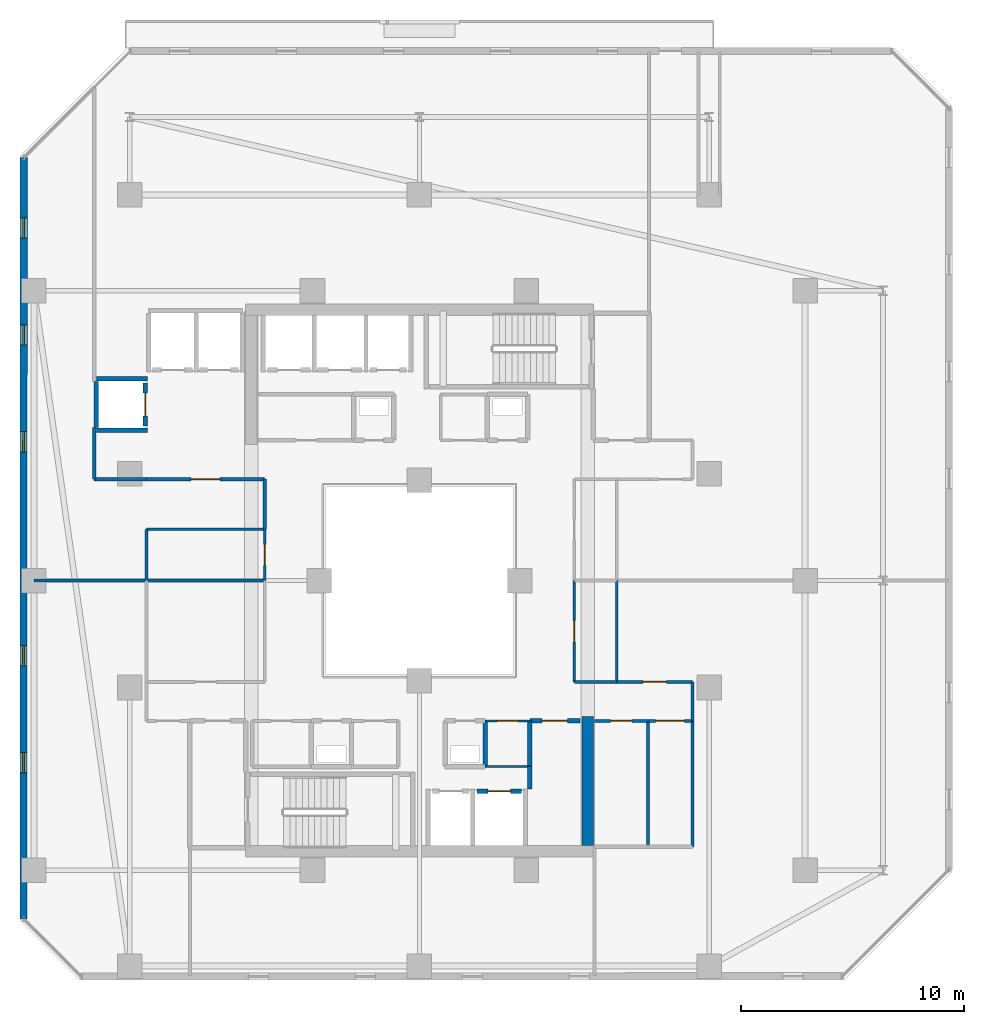
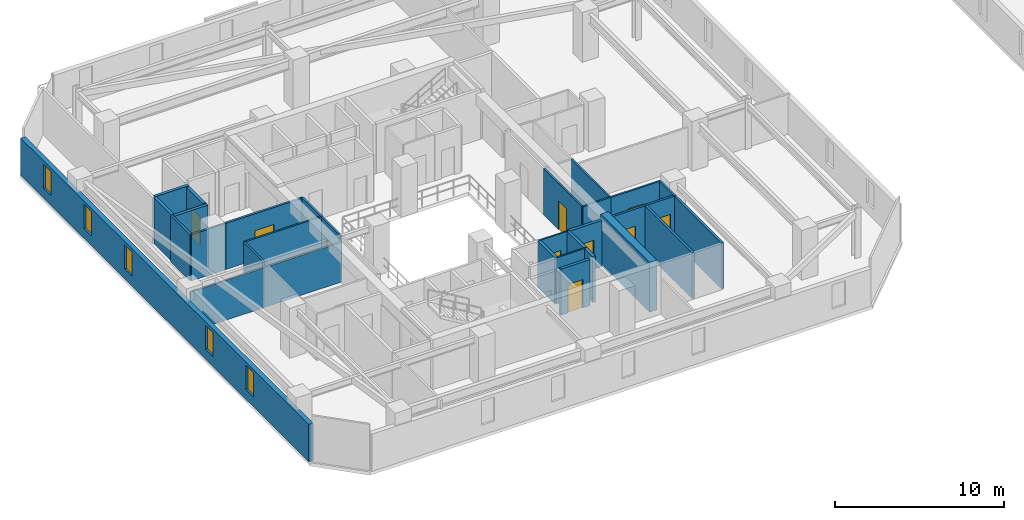
# One storey, part 20 of 33: 31 walls, 10 doors, 5 windows, 15 openings.
"""IFC4 building model written with IfcOpenShell, lengths in metres."""

from ifc_helpers import new_model, si_unit, direction, frame, frame_2d, origin, place, context, subcontext, project, spatial, rectangle, extrude, material, layer, layer_set, type_object, element, fill, save


model = new_model("IFC4")

# Units and contexts
model_context = context("Model", 3, precision=1e-05, world=origin(), true_north=direction((0.0, 1.0)))
body_context = subcontext(model_context, "Body", "Model", "MODEL_VIEW")
ifc_project = project(units=[si_unit("LENGTHUNIT", "METRE"), si_unit("AREAUNIT", "SQUARE_METRE"), si_unit("VOLUMEUNIT", "CUBIC_METRE"), si_unit("PLANEANGLEUNIT", "RADIAN"), si_unit("MASSUNIT", "GRAM", prefix="KILO")], contexts=[model_context])

# Site, building, storey
site_placement = place(None, origin())
site = spatial("IfcSite", under=ifc_project, at=site_placement, CompositionType="ELEMENT")
building_placement = place(site_placement, origin())
building = spatial("IfcBuilding", under=site, at=building_placement, Name="Thornwick Lancets Civic Towers", CompositionType="ELEMENT")
storey_placement = place(building_placement, frame((0.0, 0.0, 192.89990234375)))
storey = spatial("IfcBuildingStorey", under=building, at=storey_placement, Name="L51", CompositionType="ELEMENT", Elevation=192.89990234375)

# Wall, opening, door
ifc_material_1 = material(Name="Concrete blockwork C40/50", Category="masonry")
ifc_layer_1 = layer(ifc_material_1, 0.199951171875, Name="Concrete blockwork C40/50")
ifc_layer_set_1 = layer_set([ifc_layer_1], Name="Concrete blockwork C40/50")
wall_type_1 = type_object("IfcWallType", Name="WALL_COMP_200", PredefinedType="STANDARD", material=ifc_layer_set_1)
wall_1_placement = place(storey_placement, frame((28.080078125, 17.550048828125, 0.0), z_axis=(0.0, 0.0, 1.0), x_axis=(1.0, 0.0, 0.0)))
wall_1 = element("IfcWall", 1, at=wall_1_placement, inside=storey, type_object=wall_type_1, Name="L51 Hoistway Front Wall PL-AH1", PredefinedType="STANDARD", context=body_context, shape_type="SweptSolid", body=[
    extrude(rectangle(XDim=1.989990234375, YDim=0.199951171875, at=frame_2d((0.9951171875, 0.0))), origin(), (0.0, 0.0, 1.0), 3.340087890625),
])
opening_1_placement = place(wall_1_placement, frame((0.485107421875, 0.0, 0.0)))
opening_1 = element("IfcOpeningElement", 2, at=opening_1_placement, cuts=wall_1, Name="Opening LD-PL-AH1", PredefinedType="OPENING", context=body_context, shape_type="SweptSolid", body=[
    extrude(rectangle(XDim=1.02001953125, YDim=2.06005859375, at=frame_2d((0.510009765625, 1.030029296875))), frame((0.0, 0.10986328125, 0.0), z_axis=(0.0, -1.0, 0.0), x_axis=(1.0, 0.0, 0.0)), (0.0, 0.0, 1.0), 0.219970703125),
])
ifc_material_2 = material(Name="Brushed bronze stainless steel", Category="steel")
door_type_1 = type_object("IfcDoorType", Name="DOOR_LIFT_SLIDE", OperationType="SLIDING_TO_LEFT", PredefinedType="DOOR", material=ifc_material_2)
door_1_placement = place(opening_1_placement, origin())
door_1 = element("IfcDoor", 3, at=door_1_placement, inside=storey, type_object=door_type_1, Name="L51 Sliding Lift Landing Door LD-PL-AH1", OperationType="SLIDING_TO_LEFT", OverallHeight=2.06005859375, OverallWidth=1.02001953125, PredefinedType="DOOR", context=body_context, shape_type="SweptSolid", body=[
    extrude(rectangle(XDim=1.02001953125, YDim=2.06005859375, at=frame_2d((0.510009765625, 1.030029296875))), frame((0.0, 0.02490234375, 0.0), z_axis=(0.0, -1.0, 0.0), x_axis=(1.0, 0.0, 0.0)), (0.0, 0.0, 1.0), 0.050048828125),
])
fill(opening_1, door_1)

wall_2_placement = place(storey_placement, frame((13.199951171875, 33.929931640625, 0.0), z_axis=(0.0, 0.0, 1.0), x_axis=(0.0, 1.0, 0.0)))
wall_2 = element("IfcWall", 4, at=wall_2_placement, inside=storey, type_object=wall_type_1, Name="L51 Hoistway Front Wall PL-AM3", PredefinedType="STANDARD", context=body_context, shape_type="SweptSolid", body=[
    extrude(rectangle(XDim=1.940185546875, YDim=0.199951171875, at=frame_2d((0.97021484375, 0.0))), origin(), (0.0, 0.0, 1.0), 3.340087890625),
])
opening_2_placement = place(wall_2_placement, frame((0.4599609375, 0.0, 0.0)))
opening_2 = element("IfcOpeningElement", 5, at=opening_2_placement, cuts=wall_2, Name="Opening LD-PL-AM3", PredefinedType="OPENING", context=body_context, shape_type="SweptSolid", body=[
    extrude(rectangle(XDim=1.02001953125, YDim=2.06005859375, at=frame_2d((0.510009765625, 1.030029296875))), frame((0.0, 0.10986328125, 0.0), z_axis=(0.0, -1.0, 0.0), x_axis=(1.0, 0.0, 0.0)), (0.0, 0.0, 1.0), 0.219970703125),
])
door_2_placement = place(opening_2_placement, origin())
door_2 = element("IfcDoor", 6, at=door_2_placement, inside=storey, type_object=door_type_1, Name="L51 Sliding Lift Landing Door LD-PL-AM3", OperationType="SLIDING_TO_LEFT", OverallHeight=2.06005859375, OverallWidth=1.02001953125, PredefinedType="DOOR", context=body_context, shape_type="SweptSolid", body=[
    extrude(rectangle(XDim=1.02001953125, YDim=2.06005859375, at=frame_2d((0.510009765625, 1.030029296875))), frame((0.0, 0.02490234375, 0.0), z_axis=(0.0, -1.0, 0.0), x_axis=(1.0, 0.0, 0.0)), (0.0, 0.0, 1.0), 0.050048828125),
])
fill(opening_2, door_2)

# Walls
for number, where, z_axis, x_axis, name in (
    (7, (11.001953125, 36.050048828125, 0.0), (0.0, 0.0, 1.0), (1.0, 0.0, 0.0), "L51 Hoistway Shaft Wall PL-AM3 N"),
    (8, (11.001953125, 33.75, 0.0), (0.0, 0.0, 1.0), (1.0, 0.0, 0.0), "L51 Hoistway Shaft Wall PL-AM3 S"),
):
    element("IfcWall", number, at=place(storey_placement, frame(where, z_axis=z_axis, x_axis=x_axis)), inside=storey, type_object=wall_type_1, Name=name, PredefinedType="STANDARD", context=body_context, shape_type="SweptSolid", body=[
        extrude(rectangle(XDim=2.296142578125, YDim=0.199951171875, at=frame_2d((1.14794921875, 0.0))), origin(), (0.0, 0.0, 1.0), 3.340087890625),
    ])
wall_3_placement = place(storey_placement, frame((11.0, 33.862060546875, 0.0), z_axis=(0.0, 0.0, 1.0), x_axis=(0.0, 1.0, 0.0)))
element("IfcWall", 9, at=wall_3_placement, inside=storey, type_object=wall_type_1, Name="L51 Hoistway Shaft Wall PL-AM3 W", PredefinedType="STANDARD", context=body_context, shape_type="SweptSolid", body=[
    extrude(rectangle(XDim=2.075927734375, YDim=0.199951171875, at=frame_2d((1.0380859375, 0.0))), origin(), (0.0, 0.0, 1.0), 3.340087890625),
])
wall_4_placement = place(storey_placement, frame((28.449951171875, 18.64990234375, 0.0), z_axis=(0.0, 0.0, 1.0), x_axis=(0.0, 1.0, 0.0)))
element("IfcWall", 10, at=wall_4_placement, inside=storey, type_object=wall_type_1, Name="L51 Partition L51-A-DUCT1 E2", PredefinedType="STANDARD", context=body_context, shape_type="SweptSolid", body=[
    extrude(rectangle(XDim=2.050048828125, YDim=0.199951171875, at=frame_2d((1.02490234375, 0.0))), origin(), (0.0, 0.0, 1.0), 3.340087890625),
])
wall_5_placement = place(storey_placement, frame((30.449951171875, 17.64794921875, 0.0), z_axis=(0.0, 0.0, 1.0), x_axis=(0.0, 1.0, 0.0)))
element("IfcWall", 11, at=wall_5_placement, inside=storey, type_object=wall_type_1, Name="L51 Partition L51-A-ITR2 E3", PredefinedType="STANDARD", context=body_context, shape_type="SweptSolid", body=[
    extrude(rectangle(XDim=1.001953125, YDim=0.199951171875, at=frame_2d((0.5009765625, 0.0))), origin(), (0.0, 0.0, 1.0), 3.340087890625),
])
wall_6_placement = place(storey_placement, frame((30.449951171875, 18.64990234375, 0.0), z_axis=(0.0, 0.0, 1.0), x_axis=(0.0, 1.0, 0.0)))
element("IfcWall", 12, at=wall_6_placement, inside=storey, type_object=wall_type_1, Name="L51 Partition L51-A-ITR2 E4", PredefinedType="STANDARD", context=body_context, shape_type="SweptSolid", body=[
    extrude(rectangle(XDim=2.050048828125, YDim=0.199951171875, at=frame_2d((1.02490234375, 0.0))), origin(), (0.0, 0.0, 1.0), 3.340087890625),
])

# Wall, opening, door
wall_7_placement = place(storey_placement, frame((30.449951171875, 20.699951171875, 0.0), z_axis=(0.0, 0.0, 1.0), x_axis=(1.0, 0.0, 0.0)))
wall_7 = element("IfcWall", 13, at=wall_7_placement, inside=storey, type_object=wall_type_1, Name="L51 Partition L51-A-ITR2 E5", PredefinedType="STANDARD", context=body_context, shape_type="SweptSolid", body=[
    extrude(rectangle(XDim=2.25, YDim=0.199951171875, at=frame_2d((1.125, 0.0))), origin(), (0.0, 0.0, 1.0), 3.340087890625),
])
opening_3_placement = place(wall_7_placement, frame((0.550048828125, 0.0, 0.0)))
opening_3 = element("IfcOpeningElement", 14, at=opening_3_placement, cuts=wall_7, Name="Opening D-L51-2260", PredefinedType="OPENING", context=body_context, shape_type="SweptSolid", body=[
    extrude(rectangle(XDim=1.14990234375, YDim=2.10009765625, at=frame_2d((0.574951171875, 1.050048828125))), frame((0.0, 0.10986328125, 0.0), z_axis=(0.0, -1.0, 0.0), x_axis=(1.0, 0.0, 0.0)), (0.0, 0.0, 1.0), 0.219970703125),
])
ifc_material_3 = material(Name="Glazed fire-resisting steel", Category="steel")
door_type_2 = type_object("IfcDoorType", Name="DOOR_LOBBY_FD60", OperationType="NOTDEFINED", PredefinedType="DOOR", material=ifc_material_3)
door_3_placement = place(opening_3_placement, origin())
door_3 = element("IfcDoor", 15, at=door_3_placement, inside=storey, type_object=door_type_2, Name="L51 Tower A Statutory Core Archive Door", OperationType="SINGLE_SWING_LEFT", OverallHeight=2.10009765625, OverallWidth=1.14990234375, PredefinedType="DOOR", context=body_context, shape_type="SweptSolid", body=[
    extrude(rectangle(XDim=1.14990234375, YDim=2.10009765625, at=frame_2d((0.574951171875, 1.050048828125))), frame((0.0, 0.02490234375, 0.0), z_axis=(0.0, -1.0, 0.0), x_axis=(1.0, 0.0, 0.0)), (0.0, 0.0, 1.0), 0.050048828125),
])
fill(opening_3, door_3)

# Wall
ifc_material_4 = material(Name="Concrete C50/60", Category="concrete")
ifc_layer_2 = layer(ifc_material_4, 0.5, Name="Concrete C50/60")
ifc_layer_set_2 = layer_set([ifc_layer_2], Name="Concrete C50/60")
wall_type_2 = type_object("IfcWallType", Name="WALL_CORE_500", PredefinedType="SHEAR", material=ifc_layer_set_2)
wall_8_placement = place(storey_placement, frame((33.050048828125, 15.10009765625, 0.0), z_axis=(0.0, 0.0, 1.0), x_axis=(0.0, 1.0, 0.0)))
element("IfcWall", 16, at=wall_8_placement, inside=storey, type_object=wall_type_2, Name="L51 Split Core A1 Shear Wall E", PredefinedType="SHEAR", context=body_context, shape_type="SweptSolid", body=[
    extrude(rectangle(XDim=5.7998046875, YDim=0.5, at=frame_2d((2.89990234375, 0.0))), origin(), (0.0, 0.0, 1.0), 3.60009765625),
])

# Wall, openings, windows
ifc_material_5 = material(Name="Insulated buff terracotta rainscreen on concrete C40/50", Category="masonry")
ifc_layer_3 = layer(ifc_material_5, 0.320068359375, Name="Insulated buff terracotta rainscreen on concrete C40/50")
ifc_layer_set_3 = layer_set([ifc_layer_3], Name="Insulated buff terracotta rainscreen on concrete C40/50")
wall_type_3 = type_object("IfcWallType", Name="WALL_EXT_TERRA_320", PredefinedType="STANDARD", material=ifc_layer_set_3)
wall_9_placement = place(storey_placement, frame((7.74267578125, 45.97509765625, 0.0), z_axis=(0.0, 0.0, 1.0), x_axis=(-0.000214431216, -0.99999997701, 0.0)))
wall_9 = element("IfcWall", 17, at=wall_9_placement, inside=storey, type_object=wall_type_3, Name="L51 Tower A Terracotta Facade Wall E6", PredefinedType="STANDARD", context=body_context, shape_type="SweptSolid", body=[
    extrude(rectangle(XDim=34.156494140625, YDim=0.320068359375, at=frame_2d((17.078125, 0.0))), origin(), (0.0, 0.0, 1.0), 2.7001953125),
])
opening_4_placement = place(wall_9_placement, frame((2.699951171875, 0.0, 0.719970703125)))
opening_4 = element("IfcOpeningElement", 18, at=opening_4_placement, cuts=wall_9, Name="Opening WL-01", PredefinedType="OPENING", context=body_context, shape_type="SweptSolid", body=[
    extrude(rectangle(XDim=0.89990234375, YDim=1.75, at=frame_2d((0.449951171875, 0.875))), frame((0.0, 0.169921875, 0.0), z_axis=(0.0, -1.0, 0.0), x_axis=(1.0, 0.0, 0.0)), (0.0, 0.0, 1.0), 0.340087890625),
])
opening_5_placement = place(wall_9_placement, frame((7.5, 0.0, 0.719970703125)))
opening_5 = element("IfcOpeningElement", 19, at=opening_5_placement, cuts=wall_9, Name="Opening WL-01", PredefinedType="OPENING", context=body_context, shape_type="SweptSolid", body=[
    extrude(rectangle(XDim=0.89990234375, YDim=1.75, at=frame_2d((0.449951171875, 0.875))), frame((0.0, 0.169921875, 0.0), z_axis=(0.0, -1.0, 0.0), x_axis=(1.0, 0.0, 0.0)), (0.0, 0.0, 1.0), 0.340087890625),
])
opening_6_placement = place(wall_9_placement, frame((12.300048828125, 0.0, 0.719970703125)))
opening_6 = element("IfcOpeningElement", 20, at=opening_6_placement, cuts=wall_9, Name="Opening WL-01", PredefinedType="OPENING", context=body_context, shape_type="SweptSolid", body=[
    extrude(rectangle(XDim=0.89990234375, YDim=1.75, at=frame_2d((0.449951171875, 0.875))), frame((0.0, 0.169921875, 0.0), z_axis=(0.0, -1.0, 0.0), x_axis=(1.0, 0.0, 0.0)), (0.0, 0.0, 1.0), 0.340087890625),
])
opening_7_placement = place(wall_9_placement, frame((21.89990234375, 0.0, 0.719970703125)))
opening_7 = element("IfcOpeningElement", 21, at=opening_7_placement, cuts=wall_9, Name="Opening WL-01", PredefinedType="OPENING", context=body_context, shape_type="SweptSolid", body=[
    extrude(rectangle(XDim=0.89990234375, YDim=1.75, at=frame_2d((0.449951171875, 0.875))), frame((0.0, 0.169921875, 0.0), z_axis=(0.0, -1.0, 0.0), x_axis=(1.0, 0.0, 0.0)), (0.0, 0.0, 1.0), 0.340087890625),
])
opening_8_placement = place(wall_9_placement, frame((26.699951171875, 0.0, 0.719970703125)))
opening_8 = element("IfcOpeningElement", 22, at=opening_8_placement, cuts=wall_9, Name="Opening WL-01", PredefinedType="OPENING", context=body_context, shape_type="SweptSolid", body=[
    extrude(rectangle(XDim=0.89990234375, YDim=1.75, at=frame_2d((0.449951171875, 0.875))), frame((0.0, 0.169921875, 0.0), z_axis=(0.0, -1.0, 0.0), x_axis=(1.0, 0.0, 0.0)), (0.0, 0.0, 1.0), 0.340087890625),
])
ifc_material_6 = material(Name="Clear low-e double glazing in bronze frame", Category="glass")
window_type = type_object("IfcWindowType", Name="WIN_LANCET_900", PartitioningType="SINGLE_PANEL", PredefinedType="WINDOW", material=ifc_material_6)
window_1_placement = place(opening_4_placement, origin())
window_1 = element("IfcWindow", 23, at=window_1_placement, inside=storey, type_object=window_type, Name="L51 Tower A Staggered Lancet Window E6-1", OverallHeight=1.75, OverallWidth=0.89990234375, PartitioningType="SINGLE_PANEL", PredefinedType="WINDOW", context=body_context, shape_type="SweptSolid", body=[
    extrude(rectangle(XDim=0.89990234375, YDim=1.75, at=frame_2d((0.449951171875, 0.875))), frame((0.0, 0.030029296875, 0.0), z_axis=(0.0, -1.0, 0.0), x_axis=(1.0, 0.0, 0.0)), (0.0, 0.0, 1.0), 0.06005859375),
])
fill(opening_4, window_1)
window_2_placement = place(opening_5_placement, origin())
window_2 = element("IfcWindow", 24, at=window_2_placement, inside=storey, type_object=window_type, Name="L51 Tower A Staggered Lancet Window E6-2", OverallHeight=1.75, OverallWidth=0.89990234375, PartitioningType="SINGLE_PANEL", PredefinedType="WINDOW", context=body_context, shape_type="SweptSolid", body=[
    extrude(rectangle(XDim=0.89990234375, YDim=1.75, at=frame_2d((0.449951171875, 0.875))), frame((0.0, 0.030029296875, 0.0), z_axis=(0.0, -1.0, 0.0), x_axis=(1.0, 0.0, 0.0)), (0.0, 0.0, 1.0), 0.06005859375),
])
fill(opening_5, window_2)
window_3_placement = place(opening_6_placement, origin())
window_3 = element("IfcWindow", 25, at=window_3_placement, inside=storey, type_object=window_type, Name="L51 Tower A Staggered Lancet Window E6-3", OverallHeight=1.75, OverallWidth=0.89990234375, PartitioningType="SINGLE_PANEL", PredefinedType="WINDOW", context=body_context, shape_type="SweptSolid", body=[
    extrude(rectangle(XDim=0.89990234375, YDim=1.75, at=frame_2d((0.449951171875, 0.875))), frame((0.0, 0.030029296875, 0.0), z_axis=(0.0, -1.0, 0.0), x_axis=(1.0, 0.0, 0.0)), (0.0, 0.0, 1.0), 0.06005859375),
])
fill(opening_6, window_3)
window_4_placement = place(opening_7_placement, origin())
window_4 = element("IfcWindow", 26, at=window_4_placement, inside=storey, type_object=window_type, Name="L51 Tower A Staggered Lancet Window E6-4", OverallHeight=1.75, OverallWidth=0.89990234375, PartitioningType="SINGLE_PANEL", PredefinedType="WINDOW", context=body_context, shape_type="SweptSolid", body=[
    extrude(rectangle(XDim=0.89990234375, YDim=1.75, at=frame_2d((0.449951171875, 0.875))), frame((0.0, 0.030029296875, 0.0), z_axis=(0.0, -1.0, 0.0), x_axis=(1.0, 0.0, 0.0)), (0.0, 0.0, 1.0), 0.06005859375),
])
fill(opening_7, window_4)
window_5_placement = place(opening_8_placement, origin())
window_5 = element("IfcWindow", 27, at=window_5_placement, inside=storey, type_object=window_type, Name="L51 Tower A Staggered Lancet Window E6-5", OverallHeight=1.75, OverallWidth=0.89990234375, PartitioningType="SINGLE_PANEL", PredefinedType="WINDOW", context=body_context, shape_type="SweptSolid", body=[
    extrude(rectangle(XDim=0.89990234375, YDim=1.75, at=frame_2d((0.449951171875, 0.875))), frame((0.0, 0.030029296875, 0.0), z_axis=(0.0, -1.0, 0.0), x_axis=(1.0, 0.0, 0.0)), (0.0, 0.0, 1.0), 0.06005859375),
])
fill(opening_8, window_5)

# Wall
ifc_material_7 = material(Name="Lightweight cellular office partition")
ifc_layer_4 = layer(ifc_material_7, 0.10009765625, Name="Lightweight cellular office partition")
ifc_layer_set_4 = layer_set([ifc_layer_4], Name="Lightweight cellular office partition")
wall_type_4 = type_object("IfcWallType", Name="WALL_PART_100", PredefinedType="PARTITIONING", material=ifc_layer_set_4)
wall_10_placement = place(storey_placement, frame((30.449951171875, 18.64990234375, 0.0), z_axis=(0.0, 0.0, 1.0), x_axis=(-1.0, 0.0, 0.0)))
element("IfcWall", 28, at=wall_10_placement, inside=storey, type_object=wall_type_4, Name="L51 Partition L51-A-CLN E2", PredefinedType="PARTITIONING", context=body_context, shape_type="SweptSolid", body=[
    extrude(rectangle(XDim=2.0, YDim=0.10009765625, at=frame_2d((1.0, 0.0))), origin(), (0.0, 0.0, 1.0), 3.340087890625),
])

# Wall, opening, door
wall_11_placement = place(storey_placement, frame((28.449951171875, 20.699951171875, 0.0), z_axis=(0.0, 0.0, 1.0), x_axis=(1.0, 0.0, 0.0)))
wall_11 = element("IfcWall", 29, at=wall_11_placement, inside=storey, type_object=wall_type_4, Name="L51 Partition L51-A-CLN E4", PredefinedType="PARTITIONING", context=body_context, shape_type="SweptSolid", body=[
    extrude(rectangle(XDim=2.0, YDim=0.10009765625, at=frame_2d((1.0, 0.0))), origin(), (0.0, 0.0, 1.0), 3.340087890625),
])
opening_9_placement = place(wall_11_placement, frame((0.52490234375, 0.0, 0.0)))
opening_9 = element("IfcOpeningElement", 30, at=opening_9_placement, cuts=wall_11, Name="Opening D-L51-2259", PredefinedType="OPENING", context=body_context, shape_type="SweptSolid", body=[
    extrude(rectangle(XDim=0.949951171875, YDim=2.10009765625, at=frame_2d((0.47509765625, 1.050048828125))), frame((0.0, 0.06005859375, 0.0), z_axis=(0.0, -1.0, 0.0), x_axis=(1.0, 0.0, 0.0)), (0.0, 0.0, 1.0), 0.1201171875),
])
ifc_material_8 = material(Name="European oak acoustic doorset")
door_type_3 = type_object("IfcDoorType", Name="DOOR_OFFICE_950", OperationType="NOTDEFINED", PredefinedType="DOOR", material=ifc_material_8)
door_4_placement = place(opening_9_placement, origin())
door_4 = element("IfcDoor", 31, at=door_4_placement, inside=storey, type_object=door_type_3, Name="L51 Tower A Cleaners Store Door", OperationType="SINGLE_SWING_RIGHT", OverallHeight=2.10009765625, OverallWidth=0.949951171875, PredefinedType="DOOR", context=body_context, shape_type="SweptSolid", body=[
    extrude(rectangle(XDim=0.949951171875, YDim=2.10009765625, at=frame_2d((0.47509765625, 1.050048828125))), frame((0.0, 0.02490234375, 0.0), z_axis=(0.0, -1.0, 0.0), x_axis=(1.0, 0.0, 0.0)), (0.0, 0.0, 1.0), 0.050048828125),
])
fill(opening_9, door_4)

# Walls
ifc_material_9 = material(Name="Acoustic gypsum board partition")
ifc_layer_5 = layer(ifc_material_9, 0.1201171875, Name="Acoustic gypsum board partition")
ifc_layer_set_5 = layer_set([ifc_layer_5], Name="Acoustic gypsum board partition")
wall_type_5 = type_object("IfcWallType", Name="WALL_PART_120", PredefinedType="PARTITIONING", material=ifc_layer_set_5)
wall_12_placement = place(storey_placement, frame((8.199951171875, 27.0, 0.0), z_axis=(0.0, 0.0, 1.0), x_axis=(1.0, 0.0, 0.0)))
element("IfcWall", 32, at=wall_12_placement, inside=storey, type_object=wall_type_5, Name="L51 Partition L51-A-W1 E8", PredefinedType="PARTITIONING", context=body_context, shape_type="SweptSolid", body=[
    extrude(rectangle(XDim=5.050048828125, YDim=0.1201171875, at=frame_2d((2.52490234375, 0.0))), origin(), (0.0, 0.0, 1.0), 2.881591796875),
])
wall_13_placement = place(storey_placement, frame((13.25, 27.0, 0.0), z_axis=(0.0, 0.0, 1.0), x_axis=(1.0, 0.0, 0.0)))
element("IfcWall", 33, at=wall_13_placement, inside=storey, type_object=wall_type_5, Name="L51 Partition L51-A-W2 E2", PredefinedType="PARTITIONING", context=body_context, shape_type="SweptSolid", body=[
    extrude(rectangle(XDim=5.300048828125, YDim=0.1201171875, at=frame_2d((2.64990234375, 0.0))), origin(), (0.0, 0.0, 1.0), 2.881591796875),
])
wall_14_placement = place(storey_placement, frame((13.25, 27.0, 0.0), z_axis=(0.0, 0.0, 1.0), x_axis=(0.0, 1.0, 0.0)))
element("IfcWall", 34, at=wall_14_placement, inside=storey, type_object=wall_type_5, Name="L51 Partition L51-A-W3 E1", PredefinedType="PARTITIONING", context=body_context, shape_type="SweptSolid", body=[
    extrude(rectangle(XDim=2.300048828125, YDim=0.1201171875, at=frame_2d((1.14990234375, 0.0))), origin(), (0.0, 0.0, 1.0), 3.340087890625),
])
wall_15_placement = place(storey_placement, frame((13.25, 29.300048828125, 0.0), z_axis=(0.0, 0.0, 1.0), x_axis=(1.0, 0.0, 0.0)))
element("IfcWall", 35, at=wall_15_placement, inside=storey, type_object=wall_type_5, Name="L51 Partition L51-A-W3 E2", PredefinedType="PARTITIONING", context=body_context, shape_type="SweptSolid", body=[
    extrude(rectangle(XDim=5.300048828125, YDim=0.1201171875, at=frame_2d((2.64990234375, 0.0))), origin(), (0.0, 0.0, 1.0), 3.340087890625),
])

# Wall, opening, door
wall_16_placement = place(storey_placement, frame((18.550048828125, 29.300048828125, 0.0), z_axis=(0.0, 0.0, 1.0), x_axis=(0.0, -1.0, 0.0)))
wall_16 = element("IfcWall", 36, at=wall_16_placement, inside=storey, type_object=wall_type_5, Name="L51 Partition L51-A-W3 E3", PredefinedType="PARTITIONING", context=body_context, shape_type="SweptSolid", body=[
    extrude(rectangle(XDim=2.300048828125, YDim=0.1201171875, at=frame_2d((1.14990234375, 0.0))), origin(), (0.0, 0.0, 1.0), 3.340087890625),
])
opening_10_placement = place(wall_16_placement, frame((0.675048828125, 0.0, 0.0)))
opening_10 = element("IfcOpeningElement", 37, at=opening_10_placement, cuts=wall_16, Name="Opening D-L51-2279", PredefinedType="OPENING", context=body_context, shape_type="SweptSolid", body=[
    extrude(rectangle(XDim=0.949951171875, YDim=2.10009765625, at=frame_2d((0.47509765625, 1.050048828125))), frame((0.0, 0.070068359375, 0.0), z_axis=(0.0, -1.0, 0.0), x_axis=(1.0, 0.0, 0.0)), (0.0, 0.0, 1.0), 0.14013671875),
])
door_5_placement = place(opening_10_placement, origin())
door_5 = element("IfcDoor", 38, at=door_5_placement, inside=storey, type_object=door_type_3, Name="L51 Tower A Staff Tea Pantry and Lounge Door", OperationType="SINGLE_SWING_RIGHT", OverallHeight=2.10009765625, OverallWidth=0.949951171875, PredefinedType="DOOR", context=body_context, shape_type="SweptSolid", body=[
    extrude(rectangle(XDim=0.949951171875, YDim=2.10009765625, at=frame_2d((0.47509765625, 1.050048828125))), frame((0.0, 0.02490234375, 0.0), z_axis=(0.0, -1.0, 0.0), x_axis=(1.0, 0.0, 0.0)), (0.0, 0.0, 1.0), 0.050048828125),
])
fill(opening_10, door_5)

wall_17_placement = place(storey_placement, frame((32.449951171875, 22.449951171875, 0.0), z_axis=(0.0, 0.0, 1.0), x_axis=(0.0, 1.0, 0.0)))
wall_17 = element("IfcWall", 39, at=wall_17_placement, inside=storey, type_object=wall_type_5, Name="L51 Partition L51-A-E1 E1", PredefinedType="PARTITIONING", context=body_context, shape_type="SweptSolid", body=[
    extrude(rectangle(XDim=4.550048828125, YDim=0.1201171875, at=frame_2d((2.27490234375, 0.0))), origin(), (0.0, 0.0, 1.0), 3.340087890625),
])
opening_11_placement = place(wall_17_placement, frame((1.800048828125, 0.0, 0.0)))
opening_11 = element("IfcOpeningElement", 40, at=opening_11_placement, cuts=wall_17, Name="Opening D-L51-2281", PredefinedType="OPENING", context=body_context, shape_type="SweptSolid", body=[
    extrude(rectangle(XDim=0.949951171875, YDim=2.10009765625, at=frame_2d((0.47509765625, 1.050048828125))), frame((0.0, 0.070068359375, 0.0), z_axis=(0.0, -1.0, 0.0), x_axis=(1.0, 0.0, 0.0)), (0.0, 0.0, 1.0), 0.14013671875),
])
door_6_placement = place(opening_11_placement, origin())
door_6 = element("IfcDoor", 41, at=door_6_placement, inside=storey, type_object=door_type_3, Name="L51 Tower A Visitors Reception and Waiting Door", OperationType="SINGLE_SWING_RIGHT", OverallHeight=2.10009765625, OverallWidth=0.949951171875, PredefinedType="DOOR", context=body_context, shape_type="SweptSolid", body=[
    extrude(rectangle(XDim=0.949951171875, YDim=2.10009765625, at=frame_2d((0.47509765625, 1.050048828125))), frame((0.0, 0.02490234375, 0.0), z_axis=(0.0, -1.0, 0.0), x_axis=(1.0, 0.0, 0.0)), (0.0, 0.0, 1.0), 0.050048828125),
])
fill(opening_11, door_6)

# Walls
wall_18_placement = place(storey_placement, frame((34.35009765625, 27.0, 0.0), z_axis=(0.0, 0.0, 1.0), x_axis=(0.0, -1.0, 0.0)))
element("IfcWall", 42, at=wall_18_placement, inside=storey, type_object=wall_type_5, Name="L51 Partition L51-A-E1 E3", PredefinedType="PARTITIONING", context=body_context, shape_type="SweptSolid", body=[
    extrude(rectangle(XDim=4.550048828125, YDim=0.1201171875, at=frame_2d((2.27490234375, 0.0))), origin(), (0.0, 0.0, 1.0), 3.340087890625),
])
wall_19_placement = place(storey_placement, frame((34.35009765625, 22.449951171875, 0.0), z_axis=(0.0, 0.0, 1.0), x_axis=(-1.0, 0.0, 0.0)))
element("IfcWall", 43, at=wall_19_placement, inside=storey, type_object=wall_type_5, Name="L51 Partition L51-A-E1 E4", PredefinedType="PARTITIONING", context=body_context, shape_type="SweptSolid", body=[
    extrude(rectangle(XDim=1.900146484375, YDim=0.1201171875, at=frame_2d((0.9501953125, 0.0))), origin(), (0.0, 0.0, 1.0), 3.340087890625),
])
wall_20_placement = place(storey_placement, frame((37.75, 20.699951171875, 0.0), z_axis=(0.0, 0.0, 1.0), x_axis=(0.0, 1.0, 0.0)))
element("IfcWall", 44, at=wall_20_placement, inside=storey, type_object=wall_type_5, Name="L51 Partition L51-A-E2 E4", PredefinedType="PARTITIONING", context=body_context, shape_type="SweptSolid", body=[
    extrude(rectangle(XDim=1.75, YDim=0.1201171875, at=frame_2d((0.875, 0.0))), origin(), (0.0, 0.0, 1.0), 3.340087890625),
])

# Wall, opening, door
wall_21_placement = place(storey_placement, frame((37.75, 22.449951171875, 0.0), z_axis=(0.0, 0.0, 1.0), x_axis=(-1.0, 0.0, 0.0)))
wall_21 = element("IfcWall", 45, at=wall_21_placement, inside=storey, type_object=wall_type_5, Name="L51 Partition L51-A-E2 E5", PredefinedType="PARTITIONING", context=body_context, shape_type="SweptSolid", body=[
    extrude(rectangle(XDim=3.39990234375, YDim=0.1201171875, at=frame_2d((1.699951171875, 0.0))), origin(), (0.0, 0.0, 1.0), 3.340087890625),
])
opening_12_placement = place(wall_21_placement, frame((1.175048828125, 0.0, 0.0)))
opening_12 = element("IfcOpeningElement", 46, at=opening_12_placement, cuts=wall_21, Name="Opening D-L51-2282", PredefinedType="OPENING", context=body_context, shape_type="SweptSolid", body=[
    extrude(rectangle(XDim=1.050048828125, YDim=2.10009765625, at=frame_2d((0.52490234375, 1.050048828125))), frame((0.0, 0.070068359375, 0.0), z_axis=(0.0, -1.0, 0.0), x_axis=(1.0, 0.0, 0.0)), (0.0, 0.0, 1.0), 0.14013671875),
])
ifc_material_10 = material(Name="Glazed European oak executive doorset")
door_type_4 = type_object("IfcDoorType", Name="DOOR_OFFICE_1050", OperationType="NOTDEFINED", PredefinedType="DOOR", material=ifc_material_10)
door_7_placement = place(opening_12_placement, origin())
door_7 = element("IfcDoor", 47, at=door_7_placement, inside=storey, type_object=door_type_4, Name="L51 Tower A Secretariat Open Office E1 Door", OperationType="SINGLE_SWING_LEFT", OverallHeight=2.10009765625, OverallWidth=1.050048828125, PredefinedType="DOOR", context=body_context, shape_type="SweptSolid", body=[
    extrude(rectangle(XDim=1.050048828125, YDim=2.10009765625, at=frame_2d((0.52490234375, 1.050048828125))), frame((0.0, 0.02490234375, 0.0), z_axis=(0.0, -1.0, 0.0), x_axis=(1.0, 0.0, 0.0)), (0.0, 0.0, 1.0), 0.050048828125),
])
fill(opening_12, door_7)

ifc_material_11 = material(Name="Twin-stud acoustic gypsum board")
ifc_layer_6 = layer(ifc_material_11, 0.14990234375, Name="Twin-stud acoustic gypsum board")
ifc_layer_set_6 = layer_set([ifc_layer_6], Name="Twin-stud acoustic gypsum board")
wall_type_6 = type_object("IfcWallType", Name="WALL_PART_150", PredefinedType="PARTITIONING", material=ifc_layer_set_6)
wall_22_placement = place(storey_placement, frame((33.35009765625, 20.699951171875, 0.0), z_axis=(0.0, 0.0, 1.0), x_axis=(1.0, 0.0, 0.0)))
wall_22 = element("IfcWall", 48, at=wall_22_placement, inside=storey, type_object=wall_type_6, Name="L51 Partition L51-A-RECLAIM-L1 E3", PredefinedType="PARTITIONING", context=body_context, shape_type="SweptSolid", body=[
    extrude(rectangle(XDim=2.39990234375, YDim=0.14990234375, at=frame_2d((1.199951171875, 0.0))), origin(), (0.0, 0.0, 1.0), 3.340087890625),
])
opening_13_placement = place(wall_22_placement, frame((0.72509765625, 0.0, 0.0)))
opening_13 = element("IfcOpeningElement", 49, at=opening_13_placement, cuts=wall_22, Name="Opening D-L51-2275", PredefinedType="OPENING", context=body_context, shape_type="SweptSolid", body=[
    extrude(rectangle(XDim=0.949951171875, YDim=2.10009765625, at=frame_2d((0.47509765625, 1.050048828125))), frame((0.0, 0.0849609375, 0.0), z_axis=(0.0, -1.0, 0.0), x_axis=(1.0, 0.0, 0.0)), (0.0, 0.0, 1.0), 0.169921875),
])
door_8_placement = place(opening_13_placement, origin())
door_8 = element("IfcDoor", 50, at=door_8_placement, inside=storey, type_object=door_type_3, Name="L51 Tower A Policy Archive Door", OperationType="SINGLE_SWING_RIGHT", OverallHeight=2.10009765625, OverallWidth=0.949951171875, PredefinedType="DOOR", context=body_context, shape_type="SweptSolid", body=[
    extrude(rectangle(XDim=0.949951171875, YDim=2.10009765625, at=frame_2d((0.47509765625, 1.050048828125))), frame((0.0, 0.02490234375, 0.0), z_axis=(0.0, -1.0, 0.0), x_axis=(1.0, 0.0, 0.0)), (0.0, 0.0, 1.0), 0.050048828125),
])
fill(opening_13, door_8)

# Wall
wall_23_placement = place(storey_placement, frame((35.75, 20.699951171875, 0.0), z_axis=(0.0, 0.0, 1.0), x_axis=(0.0, -1.0, 0.0)))
element("IfcWall", 51, at=wall_23_placement, inside=storey, type_object=wall_type_6, Name="L51 Partition L51-A-RECLAIM-L1 E4", PredefinedType="PARTITIONING", context=body_context, shape_type="SweptSolid", body=[
    extrude(rectangle(XDim=5.64990234375, YDim=0.14990234375, at=frame_2d((2.824951171875, 0.0))), origin(), (0.0, 0.0, 1.0), 3.340087890625),
])

# Wall, opening, door
wall_24_placement = place(storey_placement, frame((35.75, 20.699951171875, 0.0), z_axis=(0.0, 0.0, 1.0), x_axis=(1.0, 0.0, 0.0)))
wall_24 = element("IfcWall", 52, at=wall_24_placement, inside=storey, type_object=wall_type_6, Name="L51 Partition L51-A-RECLAIM-L2 E3", PredefinedType="PARTITIONING", context=body_context, shape_type="SweptSolid", body=[
    extrude(rectangle(XDim=2.0, YDim=0.14990234375, at=frame_2d((1.0, 0.0))), origin(), (0.0, 0.0, 1.0), 3.340087890625),
])
opening_14_placement = place(wall_24_placement, frame((0.35009765625, 0.0, 0.0)))
opening_14 = element("IfcOpeningElement", 53, at=opening_14_placement, cuts=wall_24, Name="Opening D-L51-2276", PredefinedType="OPENING", context=body_context, shape_type="SweptSolid", body=[
    extrude(rectangle(XDim=1.300048828125, YDim=2.1201171875, at=frame_2d((0.64990234375, 1.06005859375))), frame((0.0, 0.0849609375, 0.0), z_axis=(0.0, -1.0, 0.0), x_axis=(1.0, 0.0, 0.0)), (0.0, 0.0, 1.0), 0.169921875),
])
ifc_material_12 = material(Name="Acoustic oak leaf-and-a-half doorset")
door_type_5 = type_object("IfcDoorType", Name="DOOR_MEET_1300", OperationType="DOUBLE_DOOR_SINGLE_SWING", PredefinedType="DOOR", material=ifc_material_12)
door_9_placement = place(opening_14_placement, origin())
door_9 = element("IfcDoor", 54, at=door_9_placement, inside=storey, type_object=door_type_5, Name="L51 Tower A Ministerial Consultation Room Door", OperationType="DOUBLE_DOOR_SINGLE_SWING", OverallHeight=2.1201171875, OverallWidth=1.300048828125, PredefinedType="DOOR", context=body_context, shape_type="SweptSolid", body=[
    extrude(rectangle(XDim=1.300048828125, YDim=2.1201171875, at=frame_2d((0.64990234375, 1.06005859375))), frame((0.0, 0.02490234375, 0.0), z_axis=(0.0, -1.0, 0.0), x_axis=(1.0, 0.0, 0.0)), (0.0, 0.0, 1.0), 0.050048828125),
])
fill(opening_14, door_9)

# Wall
wall_25_placement = place(storey_placement, frame((37.75, 20.699951171875, 0.0), z_axis=(0.0, 0.0, 1.0), x_axis=(0.0, -1.0, 0.0)))
element("IfcWall", 55, at=wall_25_placement, inside=storey, type_object=wall_type_6, Name="L51 Partition L51-A-RECLAIM-L2 E4", PredefinedType="PARTITIONING", context=body_context, shape_type="SweptSolid", body=[
    extrude(rectangle(XDim=5.64990234375, YDim=0.14990234375, at=frame_2d((2.824951171875, 0.0))), origin(), (0.0, 0.0, 1.0), 3.340087890625),
])

# Wall, opening, door
wall_26_placement = place(storey_placement, frame((13.25, 31.550048828125, 0.0), z_axis=(0.0, 0.0, 1.0), x_axis=(1.0, 0.0, 0.0)))
wall_26 = element("IfcWall", 56, at=wall_26_placement, inside=storey, type_object=wall_type_6, Name="L51 Partition L51-A-W4 E1", PredefinedType="PARTITIONING", context=body_context, shape_type="SweptSolid", body=[
    extrude(rectangle(XDim=5.300048828125, YDim=0.14990234375, at=frame_2d((2.64990234375, 0.0))), origin(), (0.0, 0.0, 1.0), 3.340087890625),
])
opening_15_placement = place(wall_26_placement, frame((2.0, 0.0, 0.0)))
opening_15 = element("IfcOpeningElement", 57, at=opening_15_placement, cuts=wall_26, Name="Opening D-L51-2280", PredefinedType="OPENING", context=body_context, shape_type="SweptSolid", body=[
    extrude(rectangle(XDim=1.300048828125, YDim=2.1201171875, at=frame_2d((0.64990234375, 1.06005859375))), frame((0.0, 0.0849609375, 0.0), z_axis=(0.0, -1.0, 0.0), x_axis=(1.0, 0.0, 0.0)), (0.0, 0.0, 1.0), 0.169921875),
])
door_10_placement = place(opening_15_placement, origin())
door_10 = element("IfcDoor", 58, at=door_10_placement, inside=storey, type_object=door_type_5, Name="L51 Tower A Policy Briefing Room W4 Door", OperationType="DOUBLE_DOOR_SINGLE_SWING", OverallHeight=2.1201171875, OverallWidth=1.300048828125, PredefinedType="DOOR", context=body_context, shape_type="SweptSolid", body=[
    extrude(rectangle(XDim=1.300048828125, YDim=2.1201171875, at=frame_2d((0.64990234375, 1.06005859375))), frame((0.0, 0.02490234375, 0.0), z_axis=(0.0, -1.0, 0.0), x_axis=(1.0, 0.0, 0.0)), (0.0, 0.0, 1.0), 0.050048828125),
])
fill(opening_15, door_10)

# Walls
wall_27_placement = place(storey_placement, frame((18.550048828125, 31.550048828125, 0.0), z_axis=(0.0, 0.0, 1.0), x_axis=(0.0, -1.0, 0.0)))
element("IfcWall", 59, at=wall_27_placement, inside=storey, type_object=wall_type_6, Name="L51 Partition L51-A-W4 E2", PredefinedType="PARTITIONING", context=body_context, shape_type="SweptSolid", body=[
    extrude(rectangle(XDim=2.25, YDim=0.14990234375, at=frame_2d((1.125, 0.0))), origin(), (0.0, 0.0, 1.0), 3.340087890625),
])
wall_28_placement = place(storey_placement, frame((10.89990234375, 33.862060546875, 0.0), z_axis=(0.0, 0.0, 1.0), x_axis=(0.0, -1.0, 0.0)))
element("IfcWall", 60, at=wall_28_placement, inside=storey, type_object=wall_type_6, Name="L51 Partition L51-A-W4 E14", PredefinedType="PARTITIONING", context=body_context, shape_type="SweptSolid", body=[
    extrude(rectangle(XDim=2.31201171875, YDim=0.14990234375, at=frame_2d((1.156005859375, 0.0))), origin(), (0.0, 0.0, 1.0), 3.340087890625),
])
wall_29_placement = place(storey_placement, frame((10.89990234375, 31.550048828125, 0.0), z_axis=(0.0, 0.0, 1.0), x_axis=(1.0, 0.0, 0.0)))
element("IfcWall", 61, at=wall_29_placement, inside=storey, type_object=wall_type_6, Name="L51 Partition L51-A-W4 E15", PredefinedType="PARTITIONING", context=body_context, shape_type="SweptSolid", body=[
    extrude(rectangle(XDim=2.35009765625, YDim=0.14990234375, at=frame_2d((1.175048828125, 0.0))), origin(), (0.0, 0.0, 1.0), 3.340087890625),
])

save(model, "model.ifc")
